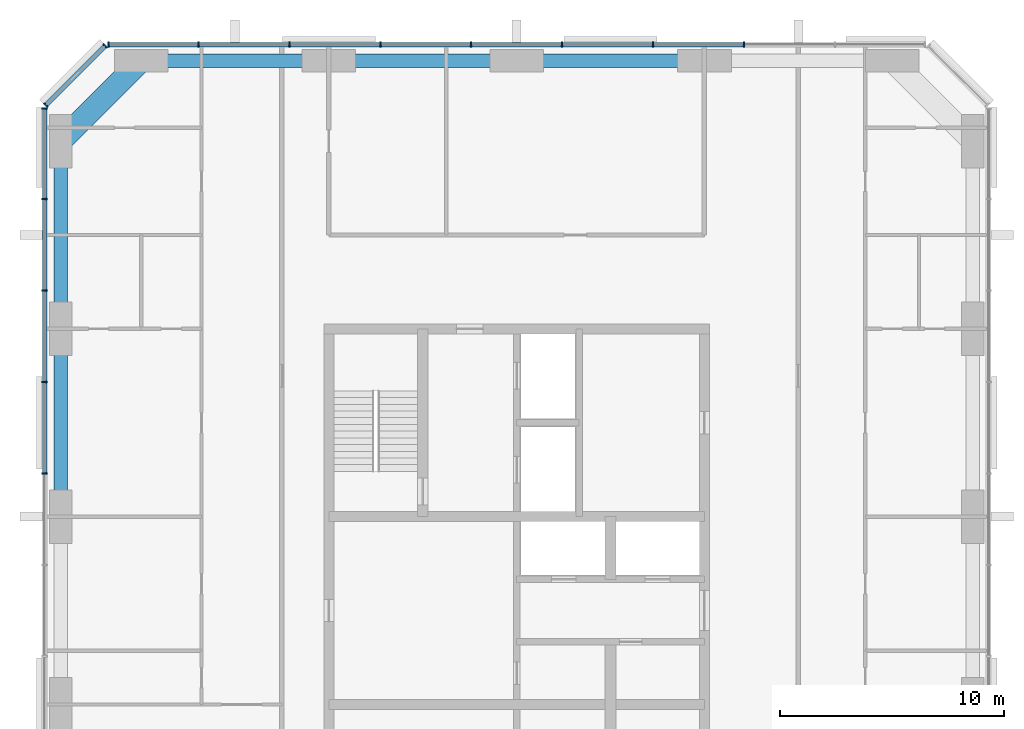
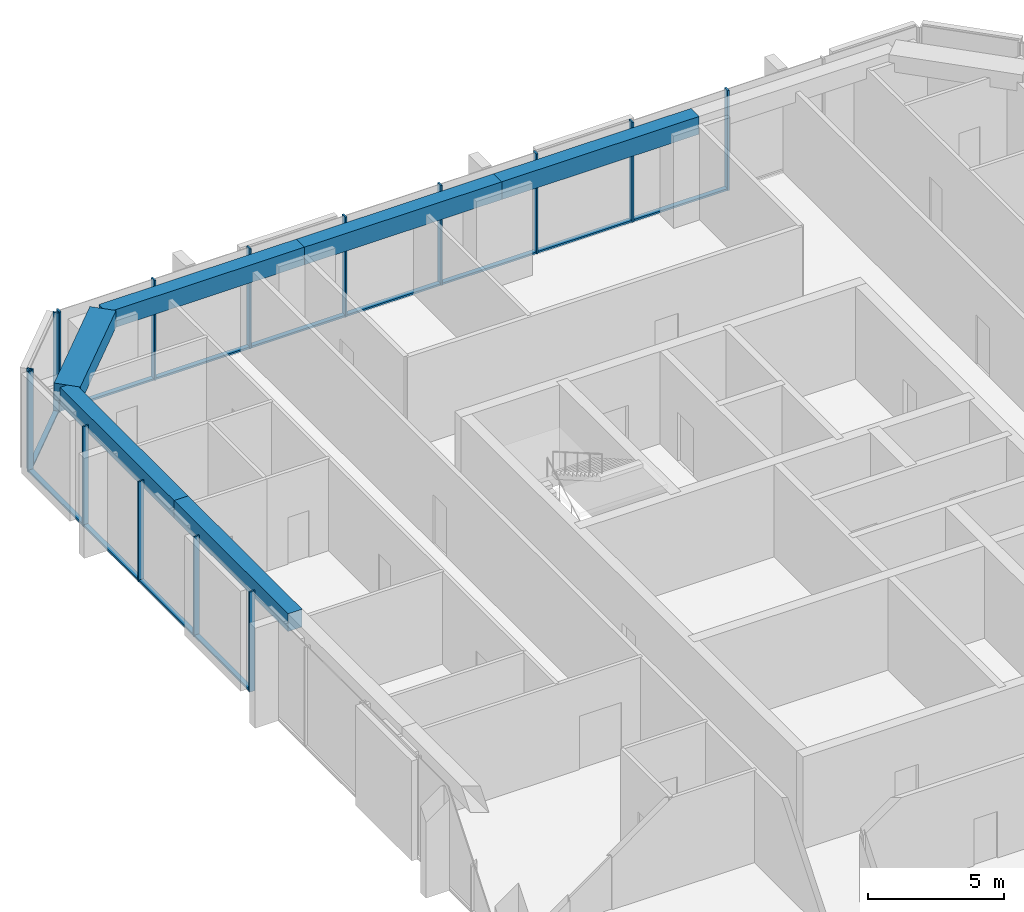
# One storey, part 4 of 10: 27 members, 6 beams, 3 elements without a shape of their own.
"""IFC4 building model written with IfcOpenShell, lengths in metres."""

from ifc_helpers import new_model, si_unit, direction, frame, origin, origin_2d, place, context, subcontext, project, spatial, rectangle, extrude, material, material_profile, profile_set, type_object, element, aggregate, save


model = new_model("IFC4")

# Units and contexts
model_context = context("Model", 3, precision=1e-05, world=origin(), true_north=direction((0.0, 1.0)))
body_context = subcontext(model_context, "Body", "Model", "MODEL_VIEW")
ifc_project = project(units=[si_unit("LENGTHUNIT", "METRE"), si_unit("AREAUNIT", "SQUARE_METRE"), si_unit("VOLUMEUNIT", "CUBIC_METRE"), si_unit("PLANEANGLEUNIT", "RADIAN"), si_unit("MASSUNIT", "GRAM", prefix="KILO")], contexts=[model_context])

# Site, building, storey
site_placement = place(None, origin())
site = spatial("IfcSite", under=ifc_project, at=site_placement, CompositionType="ELEMENT")
building_placement = place(site_placement, origin())
building = spatial("IfcBuilding", under=site, at=building_placement, Name="Dunama Terrace Hotel", CompositionType="ELEMENT")
storey_placement = place(building_placement, frame((0.0, 0.0, 289.10009765625)))
storey = spatial("IfcBuildingStorey", under=building, at=storey_placement, Name="L74", CompositionType="ELEMENT", Elevation=289.10009765625)

# Curtain wall, members
ifc_material_1 = material(Name="Aluminium curtain wall system", Category="aluminium")
curtain_wall_type = type_object("IfcCurtainWallType", Name="Unitised fritted glass wall CW-D", PredefinedType="NOTDEFINED", material=ifc_material_1)
curtain_wall_1_placement = place(storey_placement, origin())
curtain_wall_1 = element("IfcCurtainWall", 1, at=curtain_wall_1_placement, inside=storey, type_object=curtain_wall_type, Name="Unitised fritted glass wall CW-D L74", PredefinedType="NOTDEFINED")
ifc_material_2 = material(Name="Aluminium mullion", Category="aluminium")
ifc_material_profile_1 = material_profile(ifc_material_2, rectangle(XDim=0.070068359375, YDim=0.239990234375, at=origin_2d()), Name="CWD MULLION 70X240")
ifc_profile_set_1 = profile_set([ifc_material_profile_1], Name="Aluminium mullion")
member_type_1 = type_object("IfcMemberType", Name="CWD mullion 70x240", PredefinedType="MULLION", material=ifc_profile_set_1)
member_1_placement = place(storey_placement, frame((43.76708984375, 54.719970703125, 0.0), z_axis=(0.0, 0.0, 1.0), x_axis=(-1.0, 0.0, 0.0)))
member_1 = element("IfcMember", 2, at=member_1_placement, type_object=member_type_1, Name="CWD mullion", PredefinedType="MULLION", context=body_context, shape_type="SweptSolid", body=[
    extrude(rectangle(XDim=0.070068359375, YDim=0.239990234375, at=origin_2d()), origin(), (0.0, 0.0, 1.0), 4.5),
])
member_2_placement = place(storey_placement, frame((39.699951171875, 54.719970703125, 0.0), z_axis=(0.0, 0.0, 1.0), x_axis=(-1.0, 0.0, 0.0)))
member_2 = element("IfcMember", 3, at=member_2_placement, type_object=member_type_1, Name="CWD mullion", PredefinedType="MULLION", context=body_context, shape_type="SweptSolid", body=[
    extrude(rectangle(XDim=0.070068359375, YDim=0.239990234375, at=origin_2d()), origin(), (0.0, 0.0, 1.0), 4.5),
])
member_3_placement = place(storey_placement, frame((35.633056640625, 54.719970703125, 0.0), z_axis=(0.0, 0.0, 1.0), x_axis=(-1.0, 0.0, 0.0)))
member_3 = element("IfcMember", 4, at=member_3_placement, type_object=member_type_1, Name="CWD mullion", PredefinedType="MULLION", context=body_context, shape_type="SweptSolid", body=[
    extrude(rectangle(XDim=0.070068359375, YDim=0.239990234375, at=origin_2d()), origin(), (0.0, 0.0, 1.0), 4.5),
])
member_4_placement = place(storey_placement, frame((31.56689453125, 54.719970703125, 0.0), z_axis=(0.0, 0.0, 1.0), x_axis=(-1.0, 0.0, 0.0)))
member_4 = element("IfcMember", 5, at=member_4_placement, type_object=member_type_1, Name="CWD mullion", PredefinedType="MULLION", context=body_context, shape_type="SweptSolid", body=[
    extrude(rectangle(XDim=0.070068359375, YDim=0.239990234375, at=origin_2d()), origin(), (0.0, 0.0, 1.0), 4.5),
])
member_5_placement = place(storey_placement, frame((27.5, 54.719970703125, 0.0), z_axis=(0.0, 0.0, 1.0), x_axis=(-1.0, 0.0, 0.0)))
member_5 = element("IfcMember", 6, at=member_5_placement, type_object=member_type_1, Name="CWD mullion", PredefinedType="MULLION", context=body_context, shape_type="SweptSolid", body=[
    extrude(rectangle(XDim=0.070068359375, YDim=0.239990234375, at=origin_2d()), origin(), (0.0, 0.0, 1.0), 4.5),
])
member_6_placement = place(storey_placement, frame((23.43310546875, 54.719970703125, 0.0), z_axis=(0.0, 0.0, 1.0), x_axis=(-1.0, 0.0, 0.0)))
member_6 = element("IfcMember", 7, at=member_6_placement, type_object=member_type_1, Name="CWD mullion", PredefinedType="MULLION", context=body_context, shape_type="SweptSolid", body=[
    extrude(rectangle(XDim=0.070068359375, YDim=0.239990234375, at=origin_2d()), origin(), (0.0, 0.0, 1.0), 4.5),
])
member_7_placement = place(storey_placement, frame((19.366943359375, 54.719970703125, 0.0), z_axis=(0.0, 0.0, 1.0), x_axis=(-1.0, 0.0, 0.0)))
member_7 = element("IfcMember", 8, at=member_7_placement, type_object=member_type_1, Name="CWD mullion", PredefinedType="MULLION", context=body_context, shape_type="SweptSolid", body=[
    extrude(rectangle(XDim=0.070068359375, YDim=0.239990234375, at=origin_2d()), origin(), (0.0, 0.0, 1.0), 4.5),
])
member_8_placement = place(storey_placement, frame((15.3349609375, 54.719970703125, 0.0), z_axis=(0.0, 0.0, 1.0), x_axis=(-1.0, 0.0, 0.0)))
member_8 = element("IfcMember", 9, at=member_8_placement, type_object=member_type_1, Name="CWD mullion", PredefinedType="MULLION", context=body_context, shape_type="SweptSolid", body=[
    extrude(rectangle(XDim=0.070068359375, YDim=0.239990234375, at=origin_2d()), origin(), (0.0, 0.0, 1.0), 4.5),
])

curtain_wall_2_placement = place(storey_placement, origin())
curtain_wall_2 = element("IfcCurtainWall", 10, at=curtain_wall_2_placement, inside=storey, type_object=curtain_wall_type, Name="Unitised fritted glass wall CW-D L74", PredefinedType="NOTDEFINED")
member_9_placement = place(storey_placement, frame((15.18994140625, 54.659912109375, 0.0), z_axis=(0.0, 0.0, 1.0), x_axis=(-0.707106781187, -0.707106781187, 0.0)))
member_9 = element("IfcMember", 11, at=member_9_placement, type_object=member_type_1, Name="CWD mullion", PredefinedType="MULLION", context=body_context, shape_type="SweptSolid", body=[
    extrude(rectangle(XDim=0.070068359375, YDim=0.239990234375, at=origin_2d()), origin(), (0.0, 0.0, 1.0), 4.5),
])
member_10_placement = place(storey_placement, frame((12.5400390625, 52.010009765625, 0.0), z_axis=(0.0, 0.0, 1.0), x_axis=(-0.707106781187, -0.707106781187, 0.0)))
member_10 = element("IfcMember", 12, at=member_10_placement, type_object=member_type_1, Name="CWD mullion", PredefinedType="MULLION", context=body_context, shape_type="SweptSolid", body=[
    extrude(rectangle(XDim=0.070068359375, YDim=0.239990234375, at=origin_2d()), origin(), (0.0, 0.0, 1.0), 4.5),
])

curtain_wall_3_placement = place(storey_placement, origin())
curtain_wall_3 = element("IfcCurtainWall", 13, at=curtain_wall_3_placement, inside=storey, type_object=curtain_wall_type, Name="Unitised fritted glass wall CW-D L74", PredefinedType="NOTDEFINED")
member_11_placement = place(storey_placement, frame((12.47998046875, 51.864990234375, 0.0), z_axis=(0.0, 0.0, 1.0), x_axis=(0.0, -1.0, 0.0)))
member_11 = element("IfcMember", 14, at=member_11_placement, type_object=member_type_1, Name="CWD mullion", PredefinedType="MULLION", context=body_context, shape_type="SweptSolid", body=[
    extrude(rectangle(XDim=0.070068359375, YDim=0.239990234375, at=origin_2d()), origin(), (0.0, 0.0, 1.0), 4.5),
])
member_12_placement = place(storey_placement, frame((12.47998046875, 47.80908203125, 0.0), z_axis=(0.0, 0.0, 1.0), x_axis=(0.0, -1.0, 0.0)))
member_12 = element("IfcMember", 15, at=member_12_placement, type_object=member_type_1, Name="CWD mullion", PredefinedType="MULLION", context=body_context, shape_type="SweptSolid", body=[
    extrude(rectangle(XDim=0.070068359375, YDim=0.239990234375, at=origin_2d()), origin(), (0.0, 0.0, 1.0), 4.5),
])
member_13_placement = place(storey_placement, frame((12.47998046875, 43.718017578125, 0.0), z_axis=(0.0, 0.0, 1.0), x_axis=(0.0, -1.0, 0.0)))
member_13 = element("IfcMember", 16, at=member_13_placement, type_object=member_type_1, Name="CWD mullion", PredefinedType="MULLION", context=body_context, shape_type="SweptSolid", body=[
    extrude(rectangle(XDim=0.070068359375, YDim=0.239990234375, at=origin_2d()), origin(), (0.0, 0.0, 1.0), 4.5),
])
member_14_placement = place(storey_placement, frame((12.47998046875, 39.626953125, 0.0), z_axis=(0.0, 0.0, 1.0), x_axis=(0.0, -1.0, 0.0)))
member_14 = element("IfcMember", 17, at=member_14_placement, type_object=member_type_1, Name="CWD mullion", PredefinedType="MULLION", context=body_context, shape_type="SweptSolid", body=[
    extrude(rectangle(XDim=0.070068359375, YDim=0.239990234375, at=origin_2d()), origin(), (0.0, 0.0, 1.0), 4.5),
])
member_15_placement = place(storey_placement, frame((12.47998046875, 35.535888671875, 0.0), z_axis=(0.0, 0.0, 1.0), x_axis=(0.0, -1.0, 0.0)))
member_15 = element("IfcMember", 18, at=member_15_placement, type_object=member_type_1, Name="CWD mullion", PredefinedType="MULLION", context=body_context, shape_type="SweptSolid", body=[
    extrude(rectangle(XDim=0.070068359375, YDim=0.239990234375, at=origin_2d()), origin(), (0.0, 0.0, 1.0), 4.5),
])

# Member
ifc_material_3 = material(Name="Aluminium transom", Category="aluminium")
ifc_material_profile_2 = material_profile(ifc_material_3, rectangle(XDim=0.199951171875, YDim=0.0849609375, at=origin_2d()), Name="CWD TRANSOM 200X85")
ifc_profile_set_2 = profile_set([ifc_material_profile_2], Name="Aluminium transom")
member_type_2 = type_object("IfcMemberType", Name="CWD transom 200x85", PredefinedType="USERDEFINED", material=ifc_profile_set_2)
member_16_placement = place(storey_placement, frame((43.73193359375, 54.719970703125, 0.04248046875), z_axis=(-1.0, 0.0, 0.0), x_axis=(0.0, -1.0, 0.0)))
member_16 = element("IfcMember", 19, at=member_16_placement, type_object=member_type_2, Name="CWD transom", ObjectType="TRANSOM", PredefinedType="USERDEFINED", context=body_context, shape_type="SweptSolid", body=[
    extrude(rectangle(XDim=0.199951171875, YDim=0.0849609375, at=origin_2d()), origin(), (0.0, 0.0, 1.0), 3.996826171875),
])

member_17_placement = place(storey_placement, frame((39.6650390625, 54.719970703125, 0.04248046875), z_axis=(-1.0, 0.0, 0.0), x_axis=(0.0, -1.0, 0.0)))
member_17 = element("IfcMember", 20, at=member_17_placement, type_object=member_type_2, Name="CWD transom", ObjectType="TRANSOM", PredefinedType="USERDEFINED", context=body_context, shape_type="SweptSolid", body=[
    extrude(rectangle(XDim=0.199951171875, YDim=0.0849609375, at=origin_2d()), origin(), (0.0, 0.0, 1.0), 3.9970703125),
])

member_18_placement = place(storey_placement, frame((35.597900390625, 54.719970703125, 0.04248046875), z_axis=(-1.0, 0.0, 0.0), x_axis=(0.0, -1.0, 0.0)))
member_18 = element("IfcMember", 21, at=member_18_placement, type_object=member_type_2, Name="CWD transom", ObjectType="TRANSOM", PredefinedType="USERDEFINED", context=body_context, shape_type="SweptSolid", body=[
    extrude(rectangle(XDim=0.199951171875, YDim=0.0849609375, at=origin_2d()), origin(), (0.0, 0.0, 1.0), 3.995849609375),
])

member_19_placement = place(storey_placement, frame((31.531982421875, 54.719970703125, 0.04248046875), z_axis=(-1.0, 0.0, 0.0), x_axis=(0.0, -1.0, 0.0)))
member_19 = element("IfcMember", 22, at=member_19_placement, type_object=member_type_2, Name="CWD transom", ObjectType="TRANSOM", PredefinedType="USERDEFINED", context=body_context, shape_type="SweptSolid", body=[
    extrude(rectangle(XDim=0.199951171875, YDim=0.0849609375, at=origin_2d()), origin(), (0.0, 0.0, 1.0), 3.9970703125),
])

member_20_placement = place(storey_placement, frame((27.465087890625, 54.719970703125, 0.04248046875), z_axis=(-1.0, 0.0, 0.0), x_axis=(0.0, -1.0, 0.0)))
member_20 = element("IfcMember", 23, at=member_20_placement, type_object=member_type_2, Name="CWD transom", ObjectType="TRANSOM", PredefinedType="USERDEFINED", context=body_context, shape_type="SweptSolid", body=[
    extrude(rectangle(XDim=0.199951171875, YDim=0.0849609375, at=origin_2d()), origin(), (0.0, 0.0, 1.0), 3.9970703125),
])

member_21_placement = place(storey_placement, frame((23.39794921875, 54.719970703125, 0.04248046875), z_axis=(-1.0, 0.0, 0.0), x_axis=(0.0, -1.0, 0.0)))
member_21 = element("IfcMember", 24, at=member_21_placement, type_object=member_type_2, Name="CWD transom", ObjectType="TRANSOM", PredefinedType="USERDEFINED", context=body_context, shape_type="SweptSolid", body=[
    extrude(rectangle(XDim=0.199951171875, YDim=0.0849609375, at=origin_2d()), origin(), (0.0, 0.0, 1.0), 3.995849609375),
])

member_22_placement = place(storey_placement, frame((19.33203125, 54.719970703125, 0.04248046875), z_axis=(-1.0, 0.0, 0.0), x_axis=(0.0, -1.0, 0.0)))
member_22 = element("IfcMember", 25, at=member_22_placement, type_object=member_type_2, Name="CWD transom", ObjectType="TRANSOM", PredefinedType="USERDEFINED", context=body_context, shape_type="SweptSolid", body=[
    extrude(rectangle(XDim=0.199951171875, YDim=0.0849609375, at=origin_2d()), origin(), (0.0, 0.0, 1.0), 3.9619140625),
])

aggregate(curtain_wall_1, [member_1, member_2, member_3, member_4, member_5, member_6, member_7, member_8, member_16, member_17, member_18, member_19, member_20, member_21, member_22])

member_23_placement = place(storey_placement, frame((15.166015625, 54.635009765625, 0.04248046875), z_axis=(-0.707106781187, -0.707106781187, 0.0), x_axis=(0.707106781187, -0.707106781187, 0.0)))
member_23 = element("IfcMember", 26, at=member_23_placement, type_object=member_type_2, Name="CWD transom", ObjectType="TRANSOM", PredefinedType="USERDEFINED", context=body_context, shape_type="SweptSolid", body=[
    extrude(rectangle(XDim=0.199951171875, YDim=0.0849609375, at=origin_2d()), origin(), (0.0, 0.0, 1.0), 3.678466796875),
])

aggregate(curtain_wall_2, [member_9, member_10, member_23])

member_24_placement = place(storey_placement, frame((12.47998046875, 51.830078125, 0.04248046875), z_axis=(0.0, -1.0, 0.0), x_axis=(1.0, 0.0, 0.0)))
member_24 = element("IfcMember", 27, at=member_24_placement, type_object=member_type_2, Name="CWD transom", ObjectType="TRANSOM", PredefinedType="USERDEFINED", context=body_context, shape_type="SweptSolid", body=[
    extrude(rectangle(XDim=0.199951171875, YDim=0.0849609375, at=origin_2d()), origin(), (0.0, 0.0, 1.0), 3.986083984375),
])

member_25_placement = place(storey_placement, frame((12.47998046875, 47.77392578125, 0.04248046875), z_axis=(0.0, -1.0, 0.0), x_axis=(1.0, 0.0, 0.0)))
member_25 = element("IfcMember", 28, at=member_25_placement, type_object=member_type_2, Name="CWD transom", ObjectType="TRANSOM", PredefinedType="USERDEFINED", context=body_context, shape_type="SweptSolid", body=[
    extrude(rectangle(XDim=0.199951171875, YDim=0.0849609375, at=origin_2d()), origin(), (0.0, 0.0, 1.0), 4.02099609375),
])

member_26_placement = place(storey_placement, frame((12.47998046875, 43.68310546875, 0.04248046875), z_axis=(0.0, -1.0, 0.0), x_axis=(1.0, 0.0, 0.0)))
member_26 = element("IfcMember", 29, at=member_26_placement, type_object=member_type_2, Name="CWD transom", ObjectType="TRANSOM", PredefinedType="USERDEFINED", context=body_context, shape_type="SweptSolid", body=[
    extrude(rectangle(XDim=0.199951171875, YDim=0.0849609375, at=origin_2d()), origin(), (0.0, 0.0, 1.0), 4.02099609375),
])

member_27_placement = place(storey_placement, frame((12.47998046875, 39.592041015625, 0.04248046875), z_axis=(0.0, -1.0, 0.0), x_axis=(1.0, 0.0, 0.0)))
member_27 = element("IfcMember", 30, at=member_27_placement, type_object=member_type_2, Name="CWD transom", ObjectType="TRANSOM", PredefinedType="USERDEFINED", context=body_context, shape_type="SweptSolid", body=[
    extrude(rectangle(XDim=0.199951171875, YDim=0.0849609375, at=origin_2d()), origin(), (0.0, 0.0, 1.0), 4.02099609375),
])

aggregate(curtain_wall_3, [member_11, member_12, member_13, member_14, member_15, member_24, member_25, member_26, member_27])

# Beams
ifc_material_4 = material(Name="Concrete C50/60", Category="concrete")
ifc_material_profile_3 = material_profile(ifc_material_4, rectangle(XDim=1.0, YDim=0.75, at=origin_2d()), Name="RC 1000x750")
ifc_profile_set_3 = profile_set([ifc_material_profile_3], Name="Concrete C50/60")
beam_type_1 = type_object("IfcBeamType", Name="Edge beam RC 1000x750", PredefinedType="SPANDREL", material=ifc_profile_set_3)
beam_1_placement = place(storey_placement, frame((16.800048828125, 54.0, 4.125), z_axis=(-0.707106781187, -0.707106781187, 0.0), x_axis=(0.707106781187, -0.707106781187, 0.0)))
element("IfcBeam", 31, at=beam_1_placement, inside=storey, type_object=beam_type_1, Name="Corner edge beam under L75", PredefinedType="SPANDREL", context=body_context, shape_type="SweptSolid", body=[
    extrude(rectangle(XDim=1.0, YDim=0.75, at=origin_2d()), origin(), (0.0, 0.0, 1.0), 5.09130859375),
])
ifc_material_5 = material(Name="Concrete C40/50", Category="concrete")
ifc_material_profile_4 = material_profile(ifc_material_5, rectangle(XDim=0.60009765625, YDim=0.800048828125, at=origin_2d()), Name="RC 600x800")
ifc_profile_set_4 = profile_set([ifc_material_profile_4], Name="Concrete C40/50")
beam_type_2 = type_object("IfcBeamType", Name="Edge beam RC 600x800", PredefinedType="SPANDREL", material=ifc_profile_set_4)
for number, where, z_axis, x_axis, name in (
    (32, (13.199951171875, 33.60009765625, 4.099853515625), (0.0, 1.0, 0.0), (-1.0, 0.0, 0.0), "Edge beam under L75"),
    (33, (13.199951171875, 42.0, 4.099853515625), (0.0, 1.0, 0.0), (-1.0, 0.0, 0.0), "Edge beam under L75"),
    (34, (16.800048828125, 54.0, 4.099853515625), (1.0, 0.0, 0.0), (0.0, 1.0, 0.0), "Edge beam under L75"),
):
    element("IfcBeam", number, at=place(storey_placement, frame(where, z_axis=z_axis, x_axis=x_axis)), inside=storey, type_object=beam_type_2, Name=name, PredefinedType="SPANDREL", context=body_context, shape_type="SweptSolid", body=[
        extrude(rectangle(XDim=0.60009765625, YDim=0.800048828125, at=origin_2d()), origin(), (0.0, 0.0, 1.0), 8.39990234375),
    ])
beam_2_placement = place(storey_placement, frame((25.199951171875, 54.0, 4.099853515625), z_axis=(1.0, 0.0, 0.0), x_axis=(0.0, 1.0, 0.0)))
element("IfcBeam", 35, at=beam_2_placement, inside=storey, type_object=beam_type_2, Name="Edge beam under L75", PredefinedType="SPANDREL", context=body_context, shape_type="SweptSolid", body=[
    extrude(rectangle(XDim=0.60009765625, YDim=0.800048828125, at=origin_2d()), origin(), (0.0, 0.0, 1.0), 8.400146484375),
])
beam_3_placement = place(storey_placement, frame((33.60009765625, 54.0, 4.099853515625), z_axis=(1.0, 0.0, 0.0), x_axis=(0.0, 1.0, 0.0)))
element("IfcBeam", 36, at=beam_3_placement, inside=storey, type_object=beam_type_2, Name="Edge beam under L75", PredefinedType="SPANDREL", context=body_context, shape_type="SweptSolid", body=[
    extrude(rectangle(XDim=0.60009765625, YDim=0.800048828125, at=origin_2d()), origin(), (0.0, 0.0, 1.0), 8.39990234375),
])

save(model, "model.ifc")
